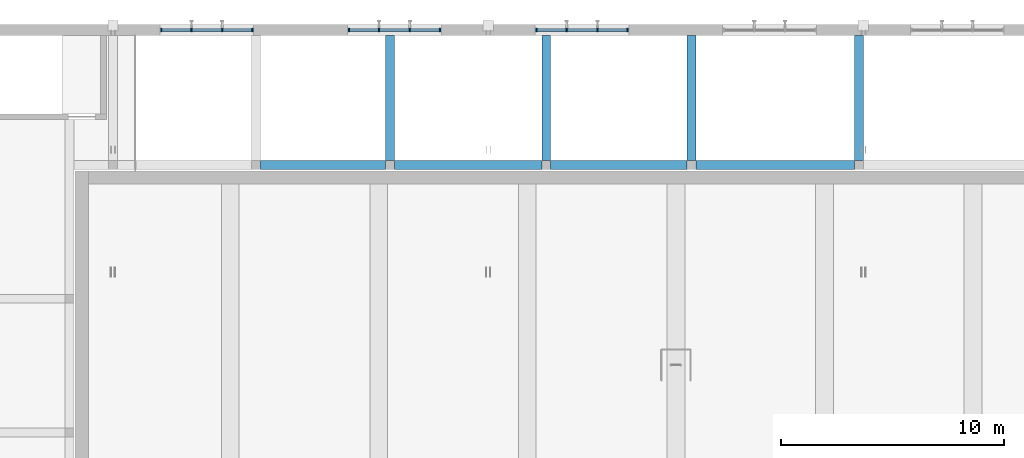
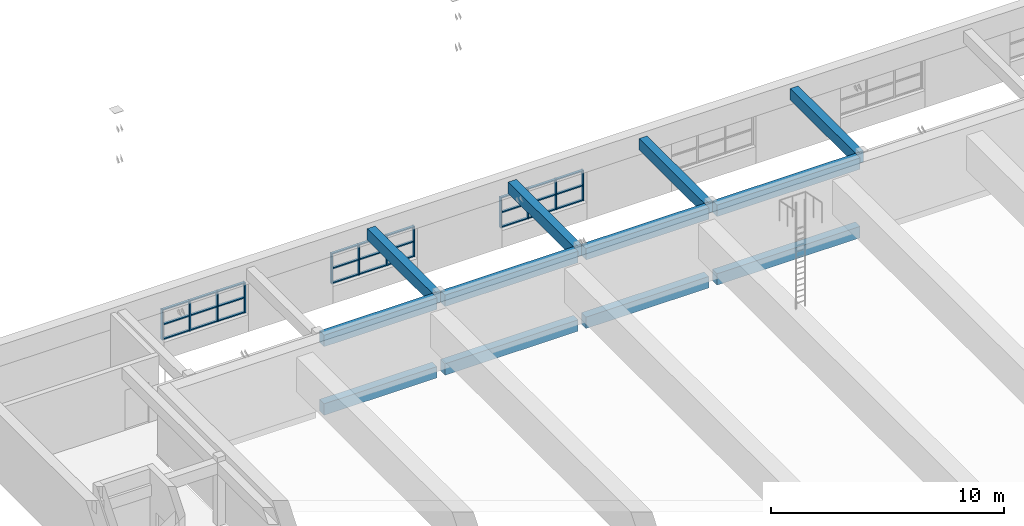
# One storey, part 7 of 28: 39 members, 12 beams, 3 elements without a shape of their own.
"""IFC4 building model written with IfcOpenShell, lengths in metres."""

from ifc_helpers import new_model, si_unit, direction, frame, origin, origin_2d, place, context, subcontext, project, spatial, rectangle, extrude, material, material_profile, profile_set, type_object, element, aggregate, save


model = new_model("IFC4")

# Units and contexts
model_context = context("Model", 3, precision=1e-05, world=origin(), true_north=direction((0.0, 1.0)))
body_context = subcontext(model_context, "Body", "Model", "MODEL_VIEW")
ifc_project = project(units=[si_unit("LENGTHUNIT", "METRE"), si_unit("AREAUNIT", "SQUARE_METRE"), si_unit("VOLUMEUNIT", "CUBIC_METRE"), si_unit("PLANEANGLEUNIT", "RADIAN"), si_unit("MASSUNIT", "GRAM", prefix="KILO")], contexts=[model_context])

# Site, building, storey
site_placement = place(None, origin())
site = spatial("IfcSite", under=ifc_project, at=site_placement, CompositionType="ELEMENT")
building_placement = place(site_placement, origin())
building = spatial("IfcBuilding", under=site, at=building_placement, Name="Ljudholm Concert House", CompositionType="ELEMENT")
storey_placement = place(building_placement, frame((0.0, 0.0, 19.199951171875)))
storey = spatial("IfcBuildingStorey", under=building, at=storey_placement, Name="L04", CompositionType="ELEMENT", Elevation=19.199951171875)

# Curtain wall, members
ifc_material_1 = material(Name="Aluminium curtain wall with impact-rated laminated glass", Category="aluminium")
curtain_wall_type = type_object("IfcCurtainWallType", Name="CURTAIN WALL 1400", PredefinedType="NOTDEFINED", material=ifc_material_1)
curtain_wall_1_placement = place(storey_placement, origin())
curtain_wall_1 = element("IfcCurtainWall", 1, at=curtain_wall_1_placement, inside=storey, type_object=curtain_wall_type, Name="Promenade curtain wall", PredefinedType="NOTDEFINED")
ifc_material_2 = material(Name="Aluminium extrusion", Category="aluminium")
ifc_material_profile_1 = material_profile(ifc_material_2, rectangle(XDim=0.159912109375, YDim=0.06005859375, at=origin_2d()), Name="MULLION 60x160")
ifc_profile_set_1 = profile_set([ifc_material_profile_1], Name="Aluminium extrusion")
member_type_1 = type_object("IfcMemberType", Name="MULLION 60x160", PredefinedType="MULLION", material=ifc_profile_set_1)
member_1_placement = place(storey_placement, frame((39.760009765625, 96.39990234375, 0.900146484375), z_axis=(0.0, 0.0, 1.0), x_axis=(0.0, 1.0, 0.0)))
member_1 = element("IfcMember", 2, at=member_1_placement, type_object=member_type_1, Name="Mullion", PredefinedType="MULLION", context=body_context, shape_type="SweptSolid", body=[
    extrude(rectangle(XDim=0.159912109375, YDim=0.06005859375, at=origin_2d()), origin(), (0.0, 0.0, 1.0), 1.599853515625),
])
member_2_placement = place(storey_placement, frame((41.110107421875, 96.39990234375, 0.900146484375), z_axis=(0.0, 0.0, 1.0), x_axis=(0.0, 1.0, 0.0)))
member_2 = element("IfcMember", 3, at=member_2_placement, type_object=member_type_1, Name="Mullion", PredefinedType="MULLION", context=body_context, shape_type="SweptSolid", body=[
    extrude(rectangle(XDim=0.159912109375, YDim=0.06005859375, at=origin_2d()), origin(), (0.0, 0.0, 1.0), 1.599853515625),
])
member_3_placement = place(storey_placement, frame((42.489990234375, 96.39990234375, 0.900146484375), z_axis=(0.0, 0.0, 1.0), x_axis=(0.0, 1.0, 0.0)))
member_3 = element("IfcMember", 4, at=member_3_placement, type_object=member_type_1, Name="Mullion", PredefinedType="MULLION", context=body_context, shape_type="SweptSolid", body=[
    extrude(rectangle(XDim=0.159912109375, YDim=0.06005859375, at=origin_2d()), origin(), (0.0, 0.0, 1.0), 1.599853515625),
])
member_4_placement = place(storey_placement, frame((43.840087890625, 96.39990234375, 0.900146484375), z_axis=(0.0, 0.0, 1.0), x_axis=(0.0, 1.0, 0.0)))
member_4 = element("IfcMember", 5, at=member_4_placement, type_object=member_type_1, Name="Mullion", PredefinedType="MULLION", context=body_context, shape_type="SweptSolid", body=[
    extrude(rectangle(XDim=0.159912109375, YDim=0.06005859375, at=origin_2d()), origin(), (0.0, 0.0, 1.0), 1.599853515625),
])

curtain_wall_2_placement = place(storey_placement, origin())
curtain_wall_2 = element("IfcCurtainWall", 6, at=curtain_wall_2_placement, inside=storey, type_object=curtain_wall_type, Name="Promenade curtain wall", PredefinedType="NOTDEFINED")
member_5_placement = place(storey_placement, frame((48.159912109375, 96.39990234375, 0.900146484375), z_axis=(0.0, 0.0, 1.0), x_axis=(0.0, 1.0, 0.0)))
member_5 = element("IfcMember", 7, at=member_5_placement, type_object=member_type_1, Name="Mullion", PredefinedType="MULLION", context=body_context, shape_type="SweptSolid", body=[
    extrude(rectangle(XDim=0.159912109375, YDim=0.06005859375, at=origin_2d()), origin(), (0.0, 0.0, 1.0), 1.599853515625),
])
member_6_placement = place(storey_placement, frame((49.510009765625, 96.39990234375, 0.900146484375), z_axis=(0.0, 0.0, 1.0), x_axis=(0.0, 1.0, 0.0)))
member_6 = element("IfcMember", 8, at=member_6_placement, type_object=member_type_1, Name="Mullion", PredefinedType="MULLION", context=body_context, shape_type="SweptSolid", body=[
    extrude(rectangle(XDim=0.159912109375, YDim=0.06005859375, at=origin_2d()), origin(), (0.0, 0.0, 1.0), 1.599853515625),
])
member_7_placement = place(storey_placement, frame((50.889892578125, 96.39990234375, 0.900146484375), z_axis=(0.0, 0.0, 1.0), x_axis=(0.0, 1.0, 0.0)))
member_7 = element("IfcMember", 9, at=member_7_placement, type_object=member_type_1, Name="Mullion", PredefinedType="MULLION", context=body_context, shape_type="SweptSolid", body=[
    extrude(rectangle(XDim=0.159912109375, YDim=0.06005859375, at=origin_2d()), origin(), (0.0, 0.0, 1.0), 1.599853515625),
])
member_8_placement = place(storey_placement, frame((52.239990234375, 96.39990234375, 0.900146484375), z_axis=(0.0, 0.0, 1.0), x_axis=(0.0, 1.0, 0.0)))
member_8 = element("IfcMember", 10, at=member_8_placement, type_object=member_type_1, Name="Mullion", PredefinedType="MULLION", context=body_context, shape_type="SweptSolid", body=[
    extrude(rectangle(XDim=0.159912109375, YDim=0.06005859375, at=origin_2d()), origin(), (0.0, 0.0, 1.0), 1.599853515625),
])

curtain_wall_3_placement = place(storey_placement, origin())
curtain_wall_3 = element("IfcCurtainWall", 11, at=curtain_wall_3_placement, inside=storey, type_object=curtain_wall_type, Name="Promenade curtain wall", PredefinedType="NOTDEFINED")
member_9_placement = place(storey_placement, frame((56.56005859375, 96.39990234375, 0.900146484375), z_axis=(0.0, 0.0, 1.0), x_axis=(0.0, 1.0, 0.0)))
member_9 = element("IfcMember", 12, at=member_9_placement, type_object=member_type_1, Name="Mullion", PredefinedType="MULLION", context=body_context, shape_type="SweptSolid", body=[
    extrude(rectangle(XDim=0.159912109375, YDim=0.06005859375, at=origin_2d()), origin(), (0.0, 0.0, 1.0), 1.599853515625),
])
member_10_placement = place(storey_placement, frame((57.909912109375, 96.39990234375, 0.900146484375), z_axis=(0.0, 0.0, 1.0), x_axis=(0.0, 1.0, 0.0)))
member_10 = element("IfcMember", 13, at=member_10_placement, type_object=member_type_1, Name="Mullion", PredefinedType="MULLION", context=body_context, shape_type="SweptSolid", body=[
    extrude(rectangle(XDim=0.159912109375, YDim=0.06005859375, at=origin_2d()), origin(), (0.0, 0.0, 1.0), 1.599853515625),
])
member_11_placement = place(storey_placement, frame((59.2900390625, 96.39990234375, 0.900146484375), z_axis=(0.0, 0.0, 1.0), x_axis=(0.0, 1.0, 0.0)))
member_11 = element("IfcMember", 14, at=member_11_placement, type_object=member_type_1, Name="Mullion", PredefinedType="MULLION", context=body_context, shape_type="SweptSolid", body=[
    extrude(rectangle(XDim=0.159912109375, YDim=0.06005859375, at=origin_2d()), origin(), (0.0, 0.0, 1.0), 1.599853515625),
])
member_12_placement = place(storey_placement, frame((60.639892578125, 96.39990234375, 0.900146484375), z_axis=(0.0, 0.0, 1.0), x_axis=(0.0, 1.0, 0.0)))
member_12 = element("IfcMember", 15, at=member_12_placement, type_object=member_type_1, Name="Mullion", PredefinedType="MULLION", context=body_context, shape_type="SweptSolid", body=[
    extrude(rectangle(XDim=0.159912109375, YDim=0.06005859375, at=origin_2d()), origin(), (0.0, 0.0, 1.0), 1.599853515625),
])

# Beams
ifc_material_3 = material(Name="Concrete 6,500 psi", Category="concrete")
ifc_material_profile_2 = material_profile(ifc_material_3, rectangle(XDim=0.39990234375, YDim=0.60009765625, at=origin_2d()), Name="RC BEAM 400x600")
ifc_profile_set_2 = profile_set([ifc_material_profile_2], Name="Concrete 6,500 psi")
beam_type = type_object("IfcBeamType", Name="RC BEAM 400x600", PredefinedType="BEAM", material=ifc_profile_set_2)
beam_1_placement = place(storey_placement, frame((44.199951171875, 90.35009765625, -0.550048828125), z_axis=(1.0, 0.0, 0.0), x_axis=(0.0, 1.0, 0.0)))
element("IfcBeam", 16, at=beam_1_placement, inside=storey, type_object=beam_type, Name="Ring beam", PredefinedType="BEAM", context=body_context, shape_type="SweptSolid", body=[
    extrude(rectangle(XDim=0.39990234375, YDim=0.60009765625, at=origin_2d()), origin(), (0.0, 0.0, 1.0), 5.60009765625),
])
beam_2_placement = place(storey_placement, frame((50.199951171875, 90.35009765625, -0.550048828125), z_axis=(1.0, 0.0, 0.0), x_axis=(0.0, 1.0, 0.0)))
element("IfcBeam", 17, at=beam_2_placement, inside=storey, type_object=beam_type, Name="Ring beam", PredefinedType="BEAM", context=body_context, shape_type="SweptSolid", body=[
    extrude(rectangle(XDim=0.39990234375, YDim=0.60009765625, at=origin_2d()), origin(), (0.0, 0.0, 1.0), 6.60009765625),
])
beam_3_placement = place(storey_placement, frame((57.199951171875, 90.35009765625, -0.550048828125), z_axis=(1.0, 0.0, 0.0), x_axis=(0.0, 1.0, 0.0)))
element("IfcBeam", 18, at=beam_3_placement, inside=storey, type_object=beam_type, Name="Ring beam", PredefinedType="BEAM", context=body_context, shape_type="SweptSolid", body=[
    extrude(rectangle(XDim=0.39990234375, YDim=0.60009765625, at=origin_2d()), origin(), (0.0, 0.0, 1.0), 6.10009765625),
])
beam_4_placement = place(storey_placement, frame((63.699951171875, 90.35009765625, -0.550048828125), z_axis=(1.0, 0.0, 0.0), x_axis=(0.0, 1.0, 0.0)))
element("IfcBeam", 19, at=beam_4_placement, inside=storey, type_object=beam_type, Name="Ring beam", PredefinedType="BEAM", context=body_context, shape_type="SweptSolid", body=[
    extrude(rectangle(XDim=0.39990234375, YDim=0.60009765625, at=origin_2d()), origin(), (0.0, 0.0, 1.0), 7.10009765625),
])
beam_5_placement = place(storey_placement, frame((44.199951171875, 90.35009765625, 3.050048828125), z_axis=(1.0, 0.0, 0.0), x_axis=(0.0, 1.0, 0.0)))
element("IfcBeam", 20, at=beam_5_placement, inside=storey, type_object=beam_type, Name="Ring beam", PredefinedType="BEAM", context=body_context, shape_type="SweptSolid", body=[
    extrude(rectangle(XDim=0.39990234375, YDim=0.60009765625, at=origin_2d()), origin(), (0.0, 0.0, 1.0), 5.60009765625),
])
beam_6_placement = place(storey_placement, frame((50.199951171875, 90.35009765625, 3.050048828125), z_axis=(1.0, 0.0, 0.0), x_axis=(0.0, 1.0, 0.0)))
element("IfcBeam", 21, at=beam_6_placement, inside=storey, type_object=beam_type, Name="Ring beam", PredefinedType="BEAM", context=body_context, shape_type="SweptSolid", body=[
    extrude(rectangle(XDim=0.39990234375, YDim=0.60009765625, at=origin_2d()), origin(), (0.0, 0.0, 1.0), 6.60009765625),
])
beam_7_placement = place(storey_placement, frame((57.199951171875, 90.35009765625, 3.050048828125), z_axis=(1.0, 0.0, 0.0), x_axis=(0.0, 1.0, 0.0)))
element("IfcBeam", 22, at=beam_7_placement, inside=storey, type_object=beam_type, Name="Ring beam", PredefinedType="BEAM", context=body_context, shape_type="SweptSolid", body=[
    extrude(rectangle(XDim=0.39990234375, YDim=0.60009765625, at=origin_2d()), origin(), (0.0, 0.0, 1.0), 6.10009765625),
])
beam_8_placement = place(storey_placement, frame((63.699951171875, 90.35009765625, 3.050048828125), z_axis=(1.0, 0.0, 0.0), x_axis=(0.0, 1.0, 0.0)))
element("IfcBeam", 23, at=beam_8_placement, inside=storey, type_object=beam_type, Name="Ring beam", PredefinedType="BEAM", context=body_context, shape_type="SweptSolid", body=[
    extrude(rectangle(XDim=0.39990234375, YDim=0.60009765625, at=origin_2d()), origin(), (0.0, 0.0, 1.0), 7.10009765625),
])
for number, where, z_axis, x_axis, name in (
    (24, (50.0, 90.550048828125, 3.050048828125), (0.0, 1.0, 0.0), (-1.0, 0.0, 0.0), "Ring cross beam"),
    (25, (57.0, 90.550048828125, 3.050048828125), (0.0, 1.0, 0.0), (-1.0, 0.0, 0.0), "Ring cross beam"),
    (26, (63.5, 90.550048828125, 3.050048828125), (0.0, 1.0, 0.0), (-1.0, 0.0, 0.0), "Ring cross beam"),
    (27, (71.0, 90.550048828125, 3.050048828125), (0.0, 1.0, 0.0), (-1.0, 0.0, 0.0), "Ring cross beam"),
):
    element("IfcBeam", number, at=place(storey_placement, frame(where, z_axis=z_axis, x_axis=x_axis)), inside=storey, type_object=beam_type, Name=name, PredefinedType="BEAM", context=body_context, shape_type="SweptSolid", body=[
        extrude(rectangle(XDim=0.39990234375, YDim=0.60009765625, at=origin_2d()), origin(), (0.0, 0.0, 1.0), 5.599853515625),
    ])

# Member
ifc_material_4 = material(Name="Aluminium extrusion", Category="aluminium")
ifc_material_profile_3 = material_profile(ifc_material_4, rectangle(XDim=0.1201171875, YDim=0.06005859375, at=origin_2d()), Name="TRANSOM 60x120")
ifc_profile_set_3 = profile_set([ifc_material_profile_3], Name="Aluminium extrusion")
member_type_2 = type_object("IfcMemberType", Name="TRANSOM 60x120", PredefinedType="USERDEFINED", material=ifc_profile_set_3)
member_13_placement = place(storey_placement, frame((39.7900390625, 96.39990234375, 0.929931640625), z_axis=(1.0, 0.0, 0.0), x_axis=(0.0, 1.0, 0.0)))
member_13 = element("IfcMember", 28, at=member_13_placement, type_object=member_type_2, Name="Transom", ObjectType="TRANSOM", PredefinedType="USERDEFINED", context=body_context, shape_type="SweptSolid", body=[
    extrude(rectangle(XDim=0.1201171875, YDim=0.06005859375, at=origin_2d()), origin(), (0.0, 0.0, 1.0), 1.2900390625),
])

member_14_placement = place(storey_placement, frame((39.7900390625, 96.39990234375, 1.699951171875), z_axis=(1.0, 0.0, 0.0), x_axis=(0.0, 1.0, 0.0)))
member_14 = element("IfcMember", 29, at=member_14_placement, type_object=member_type_2, Name="Transom", ObjectType="TRANSOM", PredefinedType="USERDEFINED", context=body_context, shape_type="SweptSolid", body=[
    extrude(rectangle(XDim=0.1201171875, YDim=0.06005859375, at=origin_2d()), origin(), (0.0, 0.0, 1.0), 1.2900390625),
])

member_15_placement = place(storey_placement, frame((39.7900390625, 96.39990234375, 2.469970703125), z_axis=(1.0, 0.0, 0.0), x_axis=(0.0, 1.0, 0.0)))
member_15 = element("IfcMember", 30, at=member_15_placement, type_object=member_type_2, Name="Transom", ObjectType="TRANSOM", PredefinedType="USERDEFINED", context=body_context, shape_type="SweptSolid", body=[
    extrude(rectangle(XDim=0.1201171875, YDim=0.06005859375, at=origin_2d()), origin(), (0.0, 0.0, 1.0), 1.2900390625),
])

member_16_placement = place(storey_placement, frame((41.139892578125, 96.39990234375, 0.929931640625), z_axis=(1.0, 0.0, 0.0), x_axis=(0.0, 1.0, 0.0)))
member_16 = element("IfcMember", 31, at=member_16_placement, type_object=member_type_2, Name="Transom", ObjectType="TRANSOM", PredefinedType="USERDEFINED", context=body_context, shape_type="SweptSolid", body=[
    extrude(rectangle(XDim=0.1201171875, YDim=0.06005859375, at=origin_2d()), origin(), (0.0, 0.0, 1.0), 1.320068359375),
])

member_17_placement = place(storey_placement, frame((41.139892578125, 96.39990234375, 1.699951171875), z_axis=(1.0, 0.0, 0.0), x_axis=(0.0, 1.0, 0.0)))
member_17 = element("IfcMember", 32, at=member_17_placement, type_object=member_type_2, Name="Transom", ObjectType="TRANSOM", PredefinedType="USERDEFINED", context=body_context, shape_type="SweptSolid", body=[
    extrude(rectangle(XDim=0.1201171875, YDim=0.06005859375, at=origin_2d()), origin(), (0.0, 0.0, 1.0), 1.320068359375),
])

member_18_placement = place(storey_placement, frame((41.139892578125, 96.39990234375, 2.469970703125), z_axis=(1.0, 0.0, 0.0), x_axis=(0.0, 1.0, 0.0)))
member_18 = element("IfcMember", 33, at=member_18_placement, type_object=member_type_2, Name="Transom", ObjectType="TRANSOM", PredefinedType="USERDEFINED", context=body_context, shape_type="SweptSolid", body=[
    extrude(rectangle(XDim=0.1201171875, YDim=0.06005859375, at=origin_2d()), origin(), (0.0, 0.0, 1.0), 1.320068359375),
])

member_19_placement = place(storey_placement, frame((42.52001953125, 96.39990234375, 0.929931640625), z_axis=(1.0, 0.0, 0.0), x_axis=(0.0, 1.0, 0.0)))
member_19 = element("IfcMember", 34, at=member_19_placement, type_object=member_type_2, Name="Transom", ObjectType="TRANSOM", PredefinedType="USERDEFINED", context=body_context, shape_type="SweptSolid", body=[
    extrude(rectangle(XDim=0.1201171875, YDim=0.06005859375, at=origin_2d()), origin(), (0.0, 0.0, 1.0), 1.2900390625),
])

member_20_placement = place(storey_placement, frame((42.52001953125, 96.39990234375, 1.699951171875), z_axis=(1.0, 0.0, 0.0), x_axis=(0.0, 1.0, 0.0)))
member_20 = element("IfcMember", 35, at=member_20_placement, type_object=member_type_2, Name="Transom", ObjectType="TRANSOM", PredefinedType="USERDEFINED", context=body_context, shape_type="SweptSolid", body=[
    extrude(rectangle(XDim=0.1201171875, YDim=0.06005859375, at=origin_2d()), origin(), (0.0, 0.0, 1.0), 1.2900390625),
])

member_21_placement = place(storey_placement, frame((42.52001953125, 96.39990234375, 2.469970703125), z_axis=(1.0, 0.0, 0.0), x_axis=(0.0, 1.0, 0.0)))
member_21 = element("IfcMember", 36, at=member_21_placement, type_object=member_type_2, Name="Transom", ObjectType="TRANSOM", PredefinedType="USERDEFINED", context=body_context, shape_type="SweptSolid", body=[
    extrude(rectangle(XDim=0.1201171875, YDim=0.06005859375, at=origin_2d()), origin(), (0.0, 0.0, 1.0), 1.2900390625),
])

aggregate(curtain_wall_1, [member_1, member_2, member_3, member_4, member_13, member_14, member_15, member_16, member_17, member_18, member_19, member_20, member_21])

member_22_placement = place(storey_placement, frame((48.18994140625, 96.39990234375, 0.929931640625), z_axis=(1.0, 0.0, 0.0), x_axis=(0.0, 1.0, 0.0)))
member_22 = element("IfcMember", 37, at=member_22_placement, type_object=member_type_2, Name="Transom", ObjectType="TRANSOM", PredefinedType="USERDEFINED", context=body_context, shape_type="SweptSolid", body=[
    extrude(rectangle(XDim=0.1201171875, YDim=0.06005859375, at=origin_2d()), origin(), (0.0, 0.0, 1.0), 1.2900390625),
])

member_23_placement = place(storey_placement, frame((48.18994140625, 96.39990234375, 1.699951171875), z_axis=(1.0, 0.0, 0.0), x_axis=(0.0, 1.0, 0.0)))
member_23 = element("IfcMember", 38, at=member_23_placement, type_object=member_type_2, Name="Transom", ObjectType="TRANSOM", PredefinedType="USERDEFINED", context=body_context, shape_type="SweptSolid", body=[
    extrude(rectangle(XDim=0.1201171875, YDim=0.06005859375, at=origin_2d()), origin(), (0.0, 0.0, 1.0), 1.2900390625),
])

member_24_placement = place(storey_placement, frame((48.18994140625, 96.39990234375, 2.469970703125), z_axis=(1.0, 0.0, 0.0), x_axis=(0.0, 1.0, 0.0)))
member_24 = element("IfcMember", 39, at=member_24_placement, type_object=member_type_2, Name="Transom", ObjectType="TRANSOM", PredefinedType="USERDEFINED", context=body_context, shape_type="SweptSolid", body=[
    extrude(rectangle(XDim=0.1201171875, YDim=0.06005859375, at=origin_2d()), origin(), (0.0, 0.0, 1.0), 1.2900390625),
])

member_25_placement = place(storey_placement, frame((49.5400390625, 96.39990234375, 0.929931640625), z_axis=(1.0, 0.0, 0.0), x_axis=(0.0, 1.0, 0.0)))
member_25 = element("IfcMember", 40, at=member_25_placement, type_object=member_type_2, Name="Transom", ObjectType="TRANSOM", PredefinedType="USERDEFINED", context=body_context, shape_type="SweptSolid", body=[
    extrude(rectangle(XDim=0.1201171875, YDim=0.06005859375, at=origin_2d()), origin(), (0.0, 0.0, 1.0), 1.320068359375),
])

member_26_placement = place(storey_placement, frame((49.5400390625, 96.39990234375, 1.699951171875), z_axis=(1.0, 0.0, 0.0), x_axis=(0.0, 1.0, 0.0)))
member_26 = element("IfcMember", 41, at=member_26_placement, type_object=member_type_2, Name="Transom", ObjectType="TRANSOM", PredefinedType="USERDEFINED", context=body_context, shape_type="SweptSolid", body=[
    extrude(rectangle(XDim=0.1201171875, YDim=0.06005859375, at=origin_2d()), origin(), (0.0, 0.0, 1.0), 1.320068359375),
])

member_27_placement = place(storey_placement, frame((49.5400390625, 96.39990234375, 2.469970703125), z_axis=(1.0, 0.0, 0.0), x_axis=(0.0, 1.0, 0.0)))
member_27 = element("IfcMember", 42, at=member_27_placement, type_object=member_type_2, Name="Transom", ObjectType="TRANSOM", PredefinedType="USERDEFINED", context=body_context, shape_type="SweptSolid", body=[
    extrude(rectangle(XDim=0.1201171875, YDim=0.06005859375, at=origin_2d()), origin(), (0.0, 0.0, 1.0), 1.320068359375),
])

member_28_placement = place(storey_placement, frame((50.919921875, 96.39990234375, 0.929931640625), z_axis=(1.0, 0.0, 0.0), x_axis=(0.0, 1.0, 0.0)))
member_28 = element("IfcMember", 43, at=member_28_placement, type_object=member_type_2, Name="Transom", ObjectType="TRANSOM", PredefinedType="USERDEFINED", context=body_context, shape_type="SweptSolid", body=[
    extrude(rectangle(XDim=0.1201171875, YDim=0.06005859375, at=origin_2d()), origin(), (0.0, 0.0, 1.0), 1.2900390625),
])

member_29_placement = place(storey_placement, frame((50.919921875, 96.39990234375, 1.699951171875), z_axis=(1.0, 0.0, 0.0), x_axis=(0.0, 1.0, 0.0)))
member_29 = element("IfcMember", 44, at=member_29_placement, type_object=member_type_2, Name="Transom", ObjectType="TRANSOM", PredefinedType="USERDEFINED", context=body_context, shape_type="SweptSolid", body=[
    extrude(rectangle(XDim=0.1201171875, YDim=0.06005859375, at=origin_2d()), origin(), (0.0, 0.0, 1.0), 1.2900390625),
])

member_30_placement = place(storey_placement, frame((50.919921875, 96.39990234375, 2.469970703125), z_axis=(1.0, 0.0, 0.0), x_axis=(0.0, 1.0, 0.0)))
member_30 = element("IfcMember", 45, at=member_30_placement, type_object=member_type_2, Name="Transom", ObjectType="TRANSOM", PredefinedType="USERDEFINED", context=body_context, shape_type="SweptSolid", body=[
    extrude(rectangle(XDim=0.1201171875, YDim=0.06005859375, at=origin_2d()), origin(), (0.0, 0.0, 1.0), 1.2900390625),
])

aggregate(curtain_wall_2, [member_5, member_6, member_7, member_8, member_22, member_23, member_24, member_25, member_26, member_27, member_28, member_29, member_30])

member_31_placement = place(storey_placement, frame((56.590087890625, 96.39990234375, 0.929931640625), z_axis=(1.0, 0.0, 0.0), x_axis=(0.0, 1.0, 0.0)))
member_31 = element("IfcMember", 46, at=member_31_placement, type_object=member_type_2, Name="Transom", ObjectType="TRANSOM", PredefinedType="USERDEFINED", context=body_context, shape_type="SweptSolid", body=[
    extrude(rectangle(XDim=0.1201171875, YDim=0.06005859375, at=origin_2d()), origin(), (0.0, 0.0, 1.0), 1.289794921875),
])

member_32_placement = place(storey_placement, frame((56.590087890625, 96.39990234375, 1.699951171875), z_axis=(1.0, 0.0, 0.0), x_axis=(0.0, 1.0, 0.0)))
member_32 = element("IfcMember", 47, at=member_32_placement, type_object=member_type_2, Name="Transom", ObjectType="TRANSOM", PredefinedType="USERDEFINED", context=body_context, shape_type="SweptSolid", body=[
    extrude(rectangle(XDim=0.1201171875, YDim=0.06005859375, at=origin_2d()), origin(), (0.0, 0.0, 1.0), 1.289794921875),
])

member_33_placement = place(storey_placement, frame((56.590087890625, 96.39990234375, 2.469970703125), z_axis=(1.0, 0.0, 0.0), x_axis=(0.0, 1.0, 0.0)))
member_33 = element("IfcMember", 48, at=member_33_placement, type_object=member_type_2, Name="Transom", ObjectType="TRANSOM", PredefinedType="USERDEFINED", context=body_context, shape_type="SweptSolid", body=[
    extrude(rectangle(XDim=0.1201171875, YDim=0.06005859375, at=origin_2d()), origin(), (0.0, 0.0, 1.0), 1.289794921875),
])

member_34_placement = place(storey_placement, frame((57.93994140625, 96.39990234375, 0.929931640625), z_axis=(1.0, 0.0, 0.0), x_axis=(0.0, 1.0, 0.0)))
member_34 = element("IfcMember", 49, at=member_34_placement, type_object=member_type_2, Name="Transom", ObjectType="TRANSOM", PredefinedType="USERDEFINED", context=body_context, shape_type="SweptSolid", body=[
    extrude(rectangle(XDim=0.1201171875, YDim=0.06005859375, at=origin_2d()), origin(), (0.0, 0.0, 1.0), 1.320068359375),
])

member_35_placement = place(storey_placement, frame((57.93994140625, 96.39990234375, 1.699951171875), z_axis=(1.0, 0.0, 0.0), x_axis=(0.0, 1.0, 0.0)))
member_35 = element("IfcMember", 50, at=member_35_placement, type_object=member_type_2, Name="Transom", ObjectType="TRANSOM", PredefinedType="USERDEFINED", context=body_context, shape_type="SweptSolid", body=[
    extrude(rectangle(XDim=0.1201171875, YDim=0.06005859375, at=origin_2d()), origin(), (0.0, 0.0, 1.0), 1.320068359375),
])

member_36_placement = place(storey_placement, frame((57.93994140625, 96.39990234375, 2.469970703125), z_axis=(1.0, 0.0, 0.0), x_axis=(0.0, 1.0, 0.0)))
member_36 = element("IfcMember", 51, at=member_36_placement, type_object=member_type_2, Name="Transom", ObjectType="TRANSOM", PredefinedType="USERDEFINED", context=body_context, shape_type="SweptSolid", body=[
    extrude(rectangle(XDim=0.1201171875, YDim=0.06005859375, at=origin_2d()), origin(), (0.0, 0.0, 1.0), 1.320068359375),
])

member_37_placement = place(storey_placement, frame((59.320068359375, 96.39990234375, 0.929931640625), z_axis=(1.0, 0.0, 0.0), x_axis=(0.0, 1.0, 0.0)))
member_37 = element("IfcMember", 52, at=member_37_placement, type_object=member_type_2, Name="Transom", ObjectType="TRANSOM", PredefinedType="USERDEFINED", context=body_context, shape_type="SweptSolid", body=[
    extrude(rectangle(XDim=0.1201171875, YDim=0.06005859375, at=origin_2d()), origin(), (0.0, 0.0, 1.0), 1.2900390625),
])

member_38_placement = place(storey_placement, frame((59.320068359375, 96.39990234375, 1.699951171875), z_axis=(1.0, 0.0, 0.0), x_axis=(0.0, 1.0, 0.0)))
member_38 = element("IfcMember", 53, at=member_38_placement, type_object=member_type_2, Name="Transom", ObjectType="TRANSOM", PredefinedType="USERDEFINED", context=body_context, shape_type="SweptSolid", body=[
    extrude(rectangle(XDim=0.1201171875, YDim=0.06005859375, at=origin_2d()), origin(), (0.0, 0.0, 1.0), 1.2900390625),
])

member_39_placement = place(storey_placement, frame((59.320068359375, 96.39990234375, 2.469970703125), z_axis=(1.0, 0.0, 0.0), x_axis=(0.0, 1.0, 0.0)))
member_39 = element("IfcMember", 54, at=member_39_placement, type_object=member_type_2, Name="Transom", ObjectType="TRANSOM", PredefinedType="USERDEFINED", context=body_context, shape_type="SweptSolid", body=[
    extrude(rectangle(XDim=0.1201171875, YDim=0.06005859375, at=origin_2d()), origin(), (0.0, 0.0, 1.0), 1.2900390625),
])

aggregate(curtain_wall_3, [member_9, member_10, member_11, member_12, member_31, member_32, member_33, member_34, member_35, member_36, member_37, member_38, member_39])

save(model, "model.ifc")
